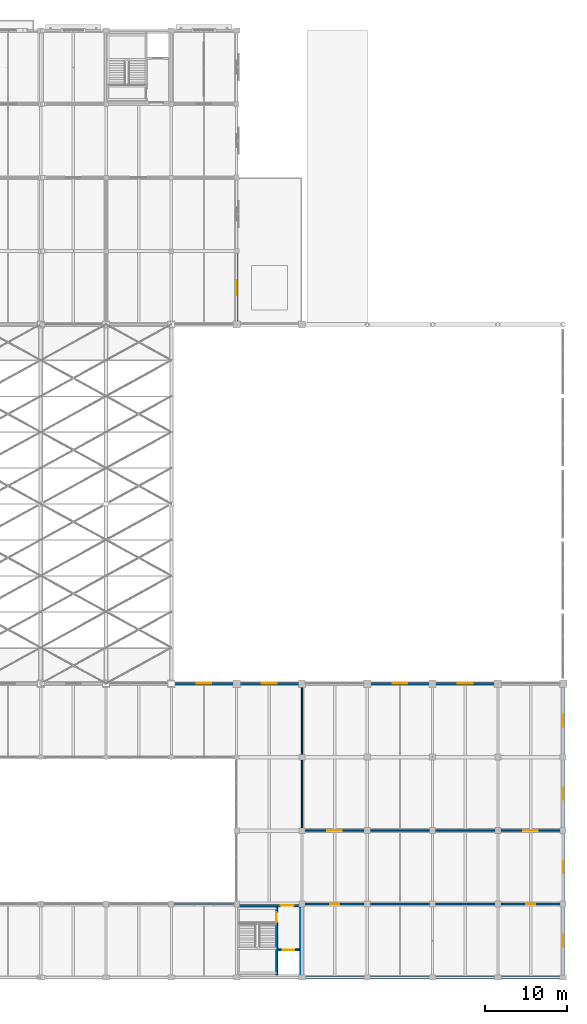
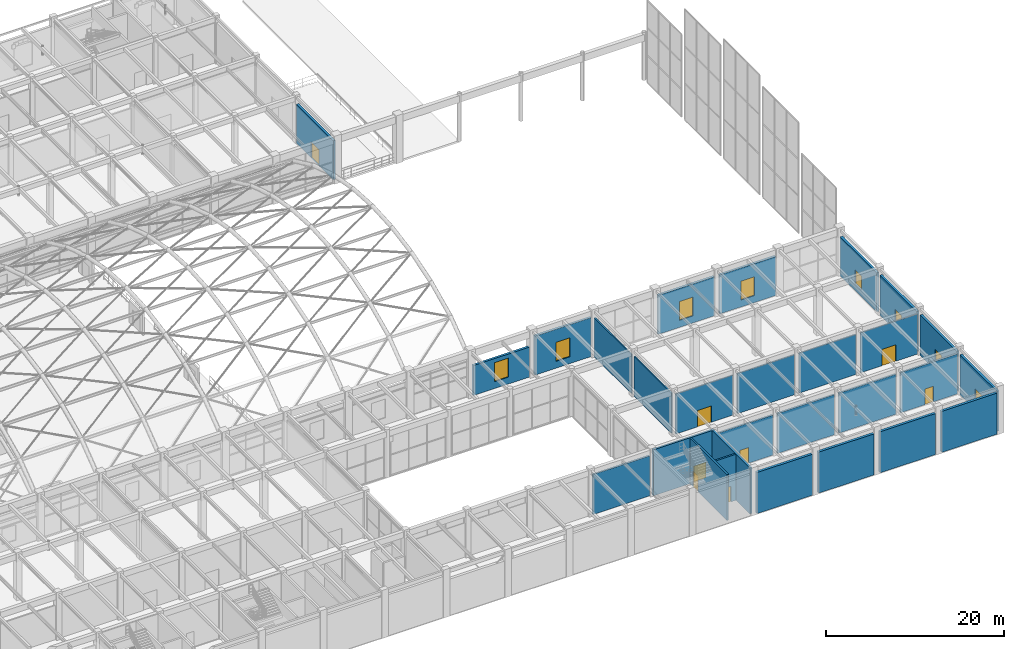
# One storey, part 134 of 163: 28 walls, 8 doors, 8 windows, 16 openings.
"""IFC4 building model written with IfcOpenShell, lengths in metres."""

from ifc_helpers import new_model, si_unit, direction, frame, frame_2d, origin, place, context, subcontext, project, spatial, rectangle, extrude, material, layer, layer_set, type_object, element, fill, save


model = new_model("IFC4")

# Units and contexts
model_context = context("Model", 3, precision=1e-05, world=origin(), true_north=direction((0.0, 1.0)))
body_context = subcontext(model_context, "Body", "Model", "MODEL_VIEW")
ifc_project = project(units=[si_unit("LENGTHUNIT", "METRE"), si_unit("AREAUNIT", "SQUARE_METRE"), si_unit("VOLUMEUNIT", "CUBIC_METRE"), si_unit("PLANEANGLEUNIT", "RADIAN"), si_unit("MASSUNIT", "GRAM", prefix="KILO")], contexts=[model_context])

# Site, building, storey
site_placement = place(None, origin())
site = spatial("IfcSite", under=ifc_project, at=site_placement, CompositionType="ELEMENT")
building_placement = place(site_placement, origin())
building = spatial("IfcBuilding", under=site, at=building_placement, Name="Varnabhumi Central Station", CompositionType="ELEMENT")
storey_placement = place(building_placement, frame((0.0, 0.0, 9.60009765625)))
storey = spatial("IfcBuildingStorey", under=building, at=storey_placement, Name="L02", CompositionType="ELEMENT", Elevation=9.60009765625)

# Wall
ifc_material_1 = material(Name="Autoclaved aerated blockwork masonry", Category="masonry")
ifc_layer_1 = layer(ifc_material_1, 0.219970703125, Name="Autoclaved aerated blockwork masonry", Category="masonry")
ifc_layer_set_1 = layer_set([ifc_layer_1], Name="Autoclaved aerated blockwork masonry")
wall_type_1 = type_object("IfcWallType", Name="WAL-COMP-AAC-220", PredefinedType="SOLIDWALL", material=ifc_layer_set_1)
wall_1_placement = place(storey_placement, frame((136.300048828125, 9.0, 0.0), z_axis=(0.0, 0.0, 1.0), x_axis=(1.0, 0.0, 0.0)))
element("IfcWall", 1, at=wall_1_placement, inside=storey, type_object=wall_type_1, Name="Concourse AHU Plant Room Corridor Partition 4", PredefinedType="SOLIDWALL", context=body_context, shape_type="SweptSolid", body=[
    extrude(rectangle(XDim=7.39990234375, YDim=0.219970703125, at=frame_2d((3.699951171875, 0.0))), origin(), (0.0, 0.0, 1.0), 5.5),
])

# Wall, opening, door
wall_2_placement = place(storey_placement, frame((152.300048828125, 9.0, 0.0), z_axis=(0.0, 0.0, 1.0), x_axis=(1.0, 0.0, 0.0)))
wall_2 = element("IfcWall", 2, at=wall_2_placement, inside=storey, type_object=wall_type_1, Name="Concourse Equipment Store Corridor Partition 1", PredefinedType="SOLIDWALL", context=body_context, shape_type="SweptSolid", body=[
    extrude(rectangle(XDim=7.39990234375, YDim=0.219970703125, at=frame_2d((3.699951171875, 0.0))), origin(), (0.0, 0.0, 1.0), 5.5),
])
opening_1_placement = place(wall_2_placement, frame((3.14990234375, 0.0, 0.0)))
opening_1 = element("IfcOpeningElement", 3, at=opening_1_placement, cuts=wall_2, Name="Opening FD-60", PredefinedType="OPENING", context=body_context, shape_type="SweptSolid", body=[
    extrude(rectangle(XDim=1.10009765625, YDim=2.14990234375, at=frame_2d((0.550048828125, 1.074951171875))), frame((0.0, 0.119873046875, 0.0), z_axis=(0.0, -1.0, 0.0), x_axis=(1.0, 0.0, 0.0)), (0.0, 0.0, 1.0), 0.239990234375),
])
ifc_material_2 = material(Name="Intumescent-treated hardwood timber", Category="wood")
door_type_1 = type_object("IfcDoorType", Name="DR-FIRE-60-1100", OperationType="NOTDEFINED", PredefinedType="DOOR", material=ifc_material_2)
door_1_placement = place(opening_1_placement, origin())
door_1 = element("IfcDoor", 4, at=door_1_placement, inside=storey, type_object=door_type_1, Name="Concourse Equipment Store Door 1", OperationType="SINGLE_SWING_RIGHT", OverallHeight=2.14990234375, OverallWidth=1.10009765625, PredefinedType="DOOR", context=body_context, shape_type="SweptSolid", body=[
    extrude(rectangle(XDim=1.10009765625, YDim=2.14990234375, at=frame_2d((0.550048828125, 1.074951171875))), frame((0.0, 0.02490234375, 0.0), z_axis=(0.0, -1.0, 0.0), x_axis=(1.0, 0.0, 0.0)), (0.0, 0.0, 1.0), 0.050048828125),
])
fill(opening_1, door_1)

# Walls
for number, where, z_axis, x_axis, name in (
    (5, (160.300048828125, 9.0, 0.0), (0.0, 0.0, 1.0), (1.0, 0.0, 0.0), "Concourse Equipment Store Corridor Partition 2"),
    (6, (168.300048828125, 9.0, 0.0), (0.0, 0.0, 1.0), (1.0, 0.0, 0.0), "Concourse Equipment Store Corridor Partition 3"),
):
    element("IfcWall", number, at=place(storey_placement, frame(where, z_axis=z_axis, x_axis=x_axis)), inside=storey, type_object=wall_type_1, Name=name, PredefinedType="SOLIDWALL", context=body_context, shape_type="SweptSolid", body=[
        extrude(rectangle(XDim=7.39990234375, YDim=0.219970703125, at=frame_2d((3.699951171875, 0.0))), origin(), (0.0, 0.0, 1.0), 5.5),
    ])

# Wall, opening, door
wall_3_placement = place(storey_placement, frame((176.300048828125, 9.0, 0.0), z_axis=(0.0, 0.0, 1.0), x_axis=(1.0, 0.0, 0.0)))
wall_3 = element("IfcWall", 7, at=wall_3_placement, inside=storey, type_object=wall_type_1, Name="Concourse Equipment Store Corridor Partition 4", PredefinedType="SOLIDWALL", context=body_context, shape_type="SweptSolid", body=[
    extrude(rectangle(XDim=7.39990234375, YDim=0.219970703125, at=frame_2d((3.699951171875, 0.0))), origin(), (0.0, 0.0, 1.0), 5.5),
])
opening_2_placement = place(wall_3_placement, frame((3.14990234375, 0.0, 0.0)))
opening_2 = element("IfcOpeningElement", 8, at=opening_2_placement, cuts=wall_3, Name="Opening FD-60", PredefinedType="OPENING", context=body_context, shape_type="SweptSolid", body=[
    extrude(rectangle(XDim=1.10009765625, YDim=2.14990234375, at=frame_2d((0.550048828125, 1.074951171875))), frame((0.0, 0.119873046875, 0.0), z_axis=(0.0, -1.0, 0.0), x_axis=(1.0, 0.0, 0.0)), (0.0, 0.0, 1.0), 0.239990234375),
])
door_2_placement = place(opening_2_placement, origin())
door_2 = element("IfcDoor", 9, at=door_2_placement, inside=storey, type_object=door_type_1, Name="Concourse Equipment Store Door 4", OperationType="SINGLE_SWING_LEFT", OverallHeight=2.14990234375, OverallWidth=1.10009765625, PredefinedType="DOOR", context=body_context, shape_type="SweptSolid", body=[
    extrude(rectangle(XDim=1.10009765625, YDim=2.14990234375, at=frame_2d((0.550048828125, 1.074951171875))), frame((0.0, 0.02490234375, 0.0), z_axis=(0.0, -1.0, 0.0), x_axis=(1.0, 0.0, 0.0)), (0.0, 0.0, 1.0), 0.050048828125),
])
fill(opening_2, door_2)

# Wall
ifc_material_3 = material(Name="Concrete M40", Category="concrete")
ifc_layer_2 = layer(ifc_material_3, 0.300048828125, Name="Concrete M40", Category="concrete")
ifc_layer_set_2 = layer_set([ifc_layer_2], Name="Concrete M40")
wall_type_2 = type_object("IfcWallType", Name="WAL-CORE-RC-300", PredefinedType="SHEAR", material=ifc_layer_set_2)
wall_4_placement = place(storey_placement, frame((151.820068359375, 0.179931640625, 0.0), z_axis=(0.0, 0.0, 1.0), x_axis=(0.0, 1.0, 0.0)))
element("IfcWall", 10, at=wall_4_placement, inside=storey, type_object=wall_type_2, Name="SC3 L02 East Shear Wall", PredefinedType="SHEAR", context=body_context, shape_type="SweptSolid", body=[
    extrude(rectangle(XDim=8.64013671875, YDim=0.300048828125, at=frame_2d((4.320068359375, 0.0))), origin(), (0.0, 0.0, 1.0), 6.31982421875),
])

# Wall, opening, door
wall_5_placement = place(storey_placement, frame((144.030029296875, 8.820068359375, 0.0), z_axis=(0.0, 0.0, 1.0), x_axis=(1.0, 0.0, 0.0)))
wall_5 = element("IfcWall", 11, at=wall_5_placement, inside=storey, type_object=wall_type_2, Name="SC3 L02 Corridor Shear Wall", PredefinedType="SHEAR", context=body_context, shape_type="SweptSolid", body=[
    extrude(rectangle(XDim=7.93994140625, YDim=0.300048828125, at=frame_2d((3.969970703125, 0.0))), origin(), (0.0, 0.0, 1.0), 6.31982421875),
])
opening_3_placement = place(wall_5_placement, frame((5.35009765625, 0.0, 0.0)))
opening_3 = element("IfcOpeningElement", 12, at=opening_3_placement, cuts=wall_5, Name="Opening FD-60D", PredefinedType="OPENING", context=body_context, shape_type="SweptSolid", body=[
    extrude(rectangle(XDim=1.60009765625, YDim=2.14990234375, at=frame_2d((0.800048828125, 1.074951171875))), frame((0.0, 0.159912109375, 0.0), z_axis=(0.0, -1.0, 0.0), x_axis=(1.0, 0.0, 0.0)), (0.0, 0.0, 1.0), 0.320068359375),
])
door_type_2 = type_object("IfcDoorType", Name="DR-FIRE-60-1600", OperationType="NOTDEFINED", PredefinedType="DOOR", material=ifc_material_2)
door_3_placement = place(opening_3_placement, origin())
door_3 = element("IfcDoor", 13, at=door_3_placement, inside=storey, type_object=door_type_2, Name="SC3 L02 Lobby Fire Door", OperationType="DOUBLE_DOOR_SINGLE_SWING", OverallHeight=2.14990234375, OverallWidth=1.60009765625, PredefinedType="DOOR", context=body_context, shape_type="SweptSolid", body=[
    extrude(rectangle(XDim=1.60009765625, YDim=2.14990234375, at=frame_2d((0.800048828125, 1.074951171875))), frame((0.0, 0.02490234375, 0.0), z_axis=(0.0, -1.0, 0.0), x_axis=(1.0, 0.0, 0.0)), (0.0, 0.0, 1.0), 0.050048828125),
])
fill(opening_3, door_3)

ifc_layer_3 = layer(ifc_material_1, 0.300048828125, Name="Autoclaved aerated blockwork masonry", Category="masonry")
ifc_layer_set_3 = layer_set([ifc_layer_3], Name="Autoclaved aerated blockwork masonry")
wall_type_3 = type_object("IfcWallType", Name="WAL-EXT-STUCCO-300", PredefinedType="SOLIDWALL", material=ifc_layer_set_3)
wall_6_placement = place(storey_placement, frame((144.0, 80.39990234375, 0.0), z_axis=(0.0, 0.0, 1.0), x_axis=(0.0, 1.0, 0.0)))
wall_6 = element("IfcWall", 14, at=wall_6_placement, inside=storey, type_object=wall_type_3, Name="North Wing W End Wall L02-1", PredefinedType="SOLIDWALL", context=body_context, shape_type="SweptSolid", body=[
    extrude(rectangle(XDim=8.30517578125, YDim=0.300048828125, at=frame_2d((4.152587890625, 0.0))), origin(), (0.0, 0.0, 1.0), 5.35986328125),
])
opening_4_placement = place(wall_6_placement, frame((3.199951171875, 0.0, 0.0)))
opening_4 = element("IfcOpeningElement", 15, at=opening_4_placement, cuts=wall_6, Name="Opening ED-4", PredefinedType="OPENING", context=body_context, shape_type="SweptSolid", body=[
    extrude(rectangle(XDim=1.800048828125, YDim=2.199951171875, at=frame_2d((0.89990234375, 1.10009765625))), frame((0.0, 0.159912109375, 0.0), z_axis=(0.0, -1.0, 0.0), x_axis=(1.0, 0.0, 0.0)), (0.0, 0.0, 1.0), 0.320068359375),
])
ifc_material_4 = material(Name="Anodised aluminium 6063-T6", Category="aluminium")
door_type_3 = type_object("IfcDoorType", Name="DR-EXT-AZOTEA-1800", OperationType="NOTDEFINED", PredefinedType="DOOR", material=ifc_material_4)
door_4_placement = place(opening_4_placement, origin())
door_4 = element("IfcDoor", 16, at=door_4_placement, inside=storey, type_object=door_type_3, Name="North Azotea Garden Door L02-W", OperationType="DOUBLE_DOOR_SINGLE_SWING", OverallHeight=2.199951171875, OverallWidth=1.800048828125, PredefinedType="DOOR", context=body_context, shape_type="SweptSolid", body=[
    extrude(rectangle(XDim=1.800048828125, YDim=2.199951171875, at=frame_2d((0.89990234375, 1.10009765625))), frame((0.0, 0.02490234375, 0.0), z_axis=(0.0, -1.0, 0.0), x_axis=(1.0, 0.0, 0.0)), (0.0, 0.0, 1.0), 0.050048828125),
])
fill(opening_4, door_4)

# Wall, opening, window
wall_7_placement = place(storey_placement, frame((136.344970703125, 36.0, 0.0), z_axis=(0.0, 0.0, 1.0), x_axis=(1.0, 0.0, 0.0)))
wall_7 = element("IfcWall", 17, at=wall_7_placement, inside=storey, type_object=wall_type_3, Name="South Spine Wall L02-14", PredefinedType="SOLIDWALL", context=body_context, shape_type="SweptSolid", body=[
    extrude(rectangle(XDim=7.31005859375, YDim=0.300048828125, at=frame_2d((3.655029296875, 0.0))), origin(), (0.0, 0.0, 1.0), 4.119873046875),
])
opening_5_placement = place(wall_7_placement, frame((2.7548828125, 0.0, 0.949951171875)))
opening_5 = element("IfcOpeningElement", 18, at=opening_5_placement, cuts=wall_7, Name="Opening W-02", PredefinedType="OPENING", context=body_context, shape_type="SweptSolid", body=[
    extrude(rectangle(XDim=1.800048828125, YDim=2.60009765625, at=frame_2d((0.89990234375, 1.300048828125))), frame((0.0, 0.159912109375, 0.0), z_axis=(0.0, -1.0, 0.0), x_axis=(1.0, 0.0, 0.0)), (0.0, 0.0, 1.0), 0.320068359375),
])
ifc_material_5 = material(Name="Laminated low-E double glazing", Category="glass")
window_type_1 = type_object("IfcWindowType", Name="WIN-ARCADE-1800x2600", PartitioningType="DOUBLE_PANEL_VERTICAL", PredefinedType="WINDOW", material=ifc_material_5)
window_1_placement = place(opening_5_placement, origin())
window_1 = element("IfcWindow", 19, at=window_1_placement, inside=storey, type_object=window_type_1, Name="South Spine Overlook Window L02-14", OverallHeight=2.60009765625, OverallWidth=1.800048828125, PartitioningType="SINGLE_PANEL", PredefinedType="WINDOW", context=body_context, shape_type="SweptSolid", body=[
    extrude(rectangle(XDim=1.800048828125, YDim=2.60009765625, at=frame_2d((0.89990234375, 1.300048828125))), frame((0.0, 0.030029296875, 0.0), z_axis=(0.0, -1.0, 0.0), x_axis=(1.0, 0.0, 0.0)), (0.0, 0.0, 1.0), 0.06005859375),
])
fill(opening_5, window_1)

wall_8_placement = place(storey_placement, frame((144.344970703125, 36.0, 0.0), z_axis=(0.0, 0.0, 1.0), x_axis=(1.0, 0.0, 0.0)))
wall_8 = element("IfcWall", 20, at=wall_8_placement, inside=storey, type_object=wall_type_3, Name="South Spine Wall L02-15", PredefinedType="SOLIDWALL", context=body_context, shape_type="SweptSolid", body=[
    extrude(rectangle(XDim=7.31005859375, YDim=0.300048828125, at=frame_2d((3.655029296875, 0.0))), origin(), (0.0, 0.0, 1.0), 5.35986328125),
])
opening_6_placement = place(wall_8_placement, frame((2.7548828125, 0.0, 0.949951171875)))
opening_6 = element("IfcOpeningElement", 21, at=opening_6_placement, cuts=wall_8, Name="Opening W-02", PredefinedType="OPENING", context=body_context, shape_type="SweptSolid", body=[
    extrude(rectangle(XDim=1.800048828125, YDim=2.60009765625, at=frame_2d((0.89990234375, 1.300048828125))), frame((0.0, 0.159912109375, 0.0), z_axis=(0.0, -1.0, 0.0), x_axis=(1.0, 0.0, 0.0)), (0.0, 0.0, 1.0), 0.320068359375),
])
window_2_placement = place(opening_6_placement, origin())
window_2 = element("IfcWindow", 22, at=window_2_placement, inside=storey, type_object=window_type_1, Name="South Spine Overlook Window L02-15", OverallHeight=2.60009765625, OverallWidth=1.800048828125, PartitioningType="SINGLE_PANEL", PredefinedType="WINDOW", context=body_context, shape_type="SweptSolid", body=[
    extrude(rectangle(XDim=1.800048828125, YDim=2.60009765625, at=frame_2d((0.89990234375, 1.300048828125))), frame((0.0, 0.030029296875, 0.0), z_axis=(0.0, -1.0, 0.0), x_axis=(1.0, 0.0, 0.0)), (0.0, 0.0, 1.0), 0.06005859375),
])
fill(opening_6, window_2)

wall_9_placement = place(storey_placement, frame((160.344970703125, 36.0, 0.0), z_axis=(0.0, 0.0, 1.0), x_axis=(1.0, 0.0, 0.0)))
wall_9 = element("IfcWall", 23, at=wall_9_placement, inside=storey, type_object=wall_type_3, Name="South Spine Wall L02-17", PredefinedType="SOLIDWALL", context=body_context, shape_type="SweptSolid", body=[
    extrude(rectangle(XDim=7.31005859375, YDim=0.300048828125, at=frame_2d((3.655029296875, 0.0))), origin(), (0.0, 0.0, 1.0), 5.35986328125),
])
opening_7_placement = place(wall_9_placement, frame((2.7548828125, 0.0, 0.949951171875)))
opening_7 = element("IfcOpeningElement", 24, at=opening_7_placement, cuts=wall_9, Name="Opening W-02", PredefinedType="OPENING", context=body_context, shape_type="SweptSolid", body=[
    extrude(rectangle(XDim=1.800048828125, YDim=2.60009765625, at=frame_2d((0.89990234375, 1.300048828125))), frame((0.0, 0.159912109375, 0.0), z_axis=(0.0, -1.0, 0.0), x_axis=(1.0, 0.0, 0.0)), (0.0, 0.0, 1.0), 0.320068359375),
])
window_3_placement = place(opening_7_placement, origin())
window_3 = element("IfcWindow", 25, at=window_3_placement, inside=storey, type_object=window_type_1, Name="South Spine Overlook Window L02-17", OverallHeight=2.60009765625, OverallWidth=1.800048828125, PartitioningType="SINGLE_PANEL", PredefinedType="WINDOW", context=body_context, shape_type="SweptSolid", body=[
    extrude(rectangle(XDim=1.800048828125, YDim=2.60009765625, at=frame_2d((0.89990234375, 1.300048828125))), frame((0.0, 0.030029296875, 0.0), z_axis=(0.0, -1.0, 0.0), x_axis=(1.0, 0.0, 0.0)), (0.0, 0.0, 1.0), 0.06005859375),
])
fill(opening_7, window_3)

wall_10_placement = place(storey_placement, frame((168.344970703125, 36.0, 0.0), z_axis=(0.0, 0.0, 1.0), x_axis=(1.0, 0.0, 0.0)))
wall_10 = element("IfcWall", 26, at=wall_10_placement, inside=storey, type_object=wall_type_3, Name="South Spine Wall L02-18", PredefinedType="SOLIDWALL", context=body_context, shape_type="SweptSolid", body=[
    extrude(rectangle(XDim=7.31005859375, YDim=0.300048828125, at=frame_2d((3.655029296875, 0.0))), origin(), (0.0, 0.0, 1.0), 5.35986328125),
])
opening_8_placement = place(wall_10_placement, frame((2.7548828125, 0.0, 0.949951171875)))
opening_8 = element("IfcOpeningElement", 27, at=opening_8_placement, cuts=wall_10, Name="Opening W-02", PredefinedType="OPENING", context=body_context, shape_type="SweptSolid", body=[
    extrude(rectangle(XDim=1.800048828125, YDim=2.60009765625, at=frame_2d((0.89990234375, 1.300048828125))), frame((0.0, 0.159912109375, 0.0), z_axis=(0.0, -1.0, 0.0), x_axis=(1.0, 0.0, 0.0)), (0.0, 0.0, 1.0), 0.320068359375),
])
window_4_placement = place(opening_8_placement, origin())
window_4 = element("IfcWindow", 28, at=window_4_placement, inside=storey, type_object=window_type_1, Name="South Spine Overlook Window L02-18", OverallHeight=2.60009765625, OverallWidth=1.800048828125, PartitioningType="SINGLE_PANEL", PredefinedType="WINDOW", context=body_context, shape_type="SweptSolid", body=[
    extrude(rectangle(XDim=1.800048828125, YDim=2.60009765625, at=frame_2d((0.89990234375, 1.300048828125))), frame((0.0, 0.030029296875, 0.0), z_axis=(0.0, -1.0, 0.0), x_axis=(1.0, 0.0, 0.0)), (0.0, 0.0, 1.0), 0.06005859375),
])
fill(opening_8, window_4)

wall_11_placement = place(storey_placement, frame((184.0, 0.294921875, 0.0), z_axis=(0.0, 0.0, 1.0), x_axis=(0.0, 1.0, 0.0)))
wall_11 = element("IfcWall", 29, at=wall_11_placement, inside=storey, type_object=wall_type_3, Name="South Wing W End Wall L02-1", PredefinedType="SOLIDWALL", context=body_context, shape_type="SweptSolid", body=[
    extrude(rectangle(XDim=8.3349609375, YDim=0.300048828125, at=frame_2d((4.16748046875, 0.0))), origin(), (0.0, 0.0, 1.0), 5.510009765625),
])
opening_9_placement = place(wall_11_placement, frame((3.455078125, 0.0, 0.949951171875)))
opening_9 = element("IfcOpeningElement", 30, at=opening_9_placement, cuts=wall_11, Name="Opening W-07", PredefinedType="OPENING", context=body_context, shape_type="SweptSolid", body=[
    extrude(rectangle(XDim=1.5, YDim=1.89990234375, at=frame_2d((0.75, 0.949951171875))), frame((0.0, 0.159912109375, 0.0), z_axis=(0.0, -1.0, 0.0), x_axis=(1.0, 0.0, 0.0)), (0.0, 0.0, 1.0), 0.320068359375),
])
window_type_2 = type_object("IfcWindowType", Name="WIN-OPS-1500x1900", PartitioningType="SINGLE_PANEL", PredefinedType="WINDOW", material=ifc_material_5)
window_5_placement = place(opening_9_placement, origin())
window_5 = element("IfcWindow", 31, at=window_5_placement, inside=storey, type_object=window_type_2, Name="South W Window L02-1", OverallHeight=1.89990234375, OverallWidth=1.5, PartitioningType="SINGLE_PANEL", PredefinedType="WINDOW", context=body_context, shape_type="SweptSolid", body=[
    extrude(rectangle(XDim=1.5, YDim=1.89990234375, at=frame_2d((0.75, 0.949951171875))), frame((0.0, 0.030029296875, 0.0), z_axis=(0.0, -1.0, 0.0), x_axis=(1.0, 0.0, 0.0)), (0.0, 0.0, 1.0), 0.06005859375),
])
fill(opening_9, window_5)

wall_12_placement = place(storey_placement, frame((184.0, 9.3701171875, 0.0), z_axis=(0.0, 0.0, 1.0), x_axis=(0.0, 1.0, 0.0)))
wall_12 = element("IfcWall", 32, at=wall_12_placement, inside=storey, type_object=wall_type_3, Name="South Wing W End Wall L02-2", PredefinedType="SOLIDWALL", context=body_context, shape_type="SweptSolid", body=[
    extrude(rectangle(XDim=8.259765625, YDim=0.300048828125, at=frame_2d((4.1298828125, 0.0))), origin(), (0.0, 0.0, 1.0), 5.510009765625),
])
opening_10_placement = place(wall_12_placement, frame((3.3798828125, 0.0, 0.949951171875)))
opening_10 = element("IfcOpeningElement", 33, at=opening_10_placement, cuts=wall_12, Name="Opening W-07", PredefinedType="OPENING", context=body_context, shape_type="SweptSolid", body=[
    extrude(rectangle(XDim=1.5, YDim=1.89990234375, at=frame_2d((0.75, 0.949951171875))), frame((0.0, 0.159912109375, 0.0), z_axis=(0.0, -1.0, 0.0), x_axis=(1.0, 0.0, 0.0)), (0.0, 0.0, 1.0), 0.320068359375),
])
window_6_placement = place(opening_10_placement, origin())
window_6 = element("IfcWindow", 34, at=window_6_placement, inside=storey, type_object=window_type_2, Name="South W Window L02-2", OverallHeight=1.89990234375, OverallWidth=1.5, PartitioningType="SINGLE_PANEL", PredefinedType="WINDOW", context=body_context, shape_type="SweptSolid", body=[
    extrude(rectangle(XDim=1.5, YDim=1.89990234375, at=frame_2d((0.75, 0.949951171875))), frame((0.0, 0.030029296875, 0.0), z_axis=(0.0, -1.0, 0.0), x_axis=(1.0, 0.0, 0.0)), (0.0, 0.0, 1.0), 0.06005859375),
])
fill(opening_10, window_6)

wall_13_placement = place(storey_placement, frame((184.0, 18.3701171875, 0.0), z_axis=(0.0, 0.0, 1.0), x_axis=(0.0, 1.0, 0.0)))
wall_13 = element("IfcWall", 35, at=wall_13_placement, inside=storey, type_object=wall_type_3, Name="South Wing W End Wall L02-3", PredefinedType="SOLIDWALL", context=body_context, shape_type="SweptSolid", body=[
    extrude(rectangle(XDim=8.259765625, YDim=0.300048828125, at=frame_2d((4.1298828125, 0.0))), origin(), (0.0, 0.0, 1.0), 5.510009765625),
])
opening_11_placement = place(wall_13_placement, frame((3.3798828125, 0.0, 0.949951171875)))
opening_11 = element("IfcOpeningElement", 36, at=opening_11_placement, cuts=wall_13, Name="Opening W-07", PredefinedType="OPENING", context=body_context, shape_type="SweptSolid", body=[
    extrude(rectangle(XDim=1.5, YDim=1.89990234375, at=frame_2d((0.75, 0.949951171875))), frame((0.0, 0.159912109375, 0.0), z_axis=(0.0, -1.0, 0.0), x_axis=(1.0, 0.0, 0.0)), (0.0, 0.0, 1.0), 0.320068359375),
])
window_7_placement = place(opening_11_placement, origin())
window_7 = element("IfcWindow", 37, at=window_7_placement, inside=storey, type_object=window_type_2, Name="South W Window L02-3", OverallHeight=1.89990234375, OverallWidth=1.5, PartitioningType="SINGLE_PANEL", PredefinedType="WINDOW", context=body_context, shape_type="SweptSolid", body=[
    extrude(rectangle(XDim=1.5, YDim=1.89990234375, at=frame_2d((0.75, 0.949951171875))), frame((0.0, 0.030029296875, 0.0), z_axis=(0.0, -1.0, 0.0), x_axis=(1.0, 0.0, 0.0)), (0.0, 0.0, 1.0), 0.06005859375),
])
fill(opening_11, window_7)

wall_14_placement = place(storey_placement, frame((184.0, 27.3701171875, 0.0), z_axis=(0.0, 0.0, 1.0), x_axis=(0.0, 1.0, 0.0)))
wall_14 = element("IfcWall", 38, at=wall_14_placement, inside=storey, type_object=wall_type_3, Name="South Wing W End Wall L02-4", PredefinedType="SOLIDWALL", context=body_context, shape_type="SweptSolid", body=[
    extrude(rectangle(XDim=8.22998046875, YDim=0.300048828125, at=frame_2d((4.114990234375, 0.0))), origin(), (0.0, 0.0, 1.0), 5.35986328125),
])
opening_12_placement = place(wall_14_placement, frame((3.3798828125, 0.0, 0.949951171875)))
opening_12 = element("IfcOpeningElement", 39, at=opening_12_placement, cuts=wall_14, Name="Opening W-07", PredefinedType="OPENING", context=body_context, shape_type="SweptSolid", body=[
    extrude(rectangle(XDim=1.5, YDim=1.89990234375, at=frame_2d((0.75, 0.949951171875))), frame((0.0, 0.159912109375, 0.0), z_axis=(0.0, -1.0, 0.0), x_axis=(1.0, 0.0, 0.0)), (0.0, 0.0, 1.0), 0.320068359375),
])
window_8_placement = place(opening_12_placement, origin())
window_8 = element("IfcWindow", 40, at=window_8_placement, inside=storey, type_object=window_type_2, Name="South W Window L02-4", OverallHeight=1.89990234375, OverallWidth=1.5, PartitioningType="SINGLE_PANEL", PredefinedType="WINDOW", context=body_context, shape_type="SweptSolid", body=[
    extrude(rectangle(XDim=1.5, YDim=1.89990234375, at=frame_2d((0.75, 0.949951171875))), frame((0.0, 0.030029296875, 0.0), z_axis=(0.0, -1.0, 0.0), x_axis=(1.0, 0.0, 0.0)), (0.0, 0.0, 1.0), 0.06005859375),
])
fill(opening_12, window_8)

# Wall, opening, door
ifc_layer_4 = layer(ifc_material_1, 0.159912109375, Name="Autoclaved aerated blockwork masonry", Category="masonry")
ifc_layer_set_4 = layer_set([ifc_layer_4], Name="Autoclaved aerated blockwork masonry")
wall_type_4 = type_object("IfcWallType", Name="WAL-PART-AAC-160", PredefinedType="PARTITIONING", material=ifc_layer_set_4)
wall_15_placement = place(storey_placement, frame((152.300048828125, 18.0, 0.0), z_axis=(0.0, 0.0, 1.0), x_axis=(1.0, 0.0, 0.0)))
wall_15 = element("IfcWall", 41, at=wall_15_placement, inside=storey, type_object=wall_type_4, Name="Platform Overlook Refreshment Lounge Corridor Partition 1", PredefinedType="PARTITIONING", context=body_context, shape_type="SweptSolid", body=[
    extrude(rectangle(XDim=7.39990234375, YDim=0.159912109375, at=frame_2d((3.699951171875, 0.0))), origin(), (0.0, 0.0, 1.0), 5.5),
])
opening_13_placement = place(wall_15_placement, frame((2.800048828125, 0.0, 0.0)))
opening_13 = element("IfcOpeningElement", 42, at=opening_13_placement, cuts=wall_15, Name="Opening D-02", PredefinedType="OPENING", context=body_context, shape_type="SweptSolid", body=[
    extrude(rectangle(XDim=1.800048828125, YDim=2.25, at=frame_2d((0.89990234375, 1.125))), frame((0.0, 0.08984375, 0.0), z_axis=(0.0, -1.0, 0.0), x_axis=(1.0, 0.0, 0.0)), (0.0, 0.0, 1.0), 0.179931640625),
])
door_type_4 = type_object("IfcDoorType", Name="DR-LOUNGE-1800", OperationType="NOTDEFINED", PredefinedType="DOOR", material=ifc_material_4)
door_5_placement = place(opening_13_placement, frame((1.800048828125, 0.0, 0.0), z_axis=(0.0, 0.0, 1.0), x_axis=(-1.0, 0.0, 0.0)))
door_5 = element("IfcDoor", 43, at=door_5_placement, inside=storey, type_object=door_type_4, Name="Platform Overlook Refreshment Lounge Door 1", OperationType="DOUBLE_DOOR_SINGLE_SWING", OverallHeight=2.25, OverallWidth=1.800048828125, PredefinedType="DOOR", context=body_context, shape_type="SweptSolid", body=[
    extrude(rectangle(XDim=1.800048828125, YDim=2.25, at=frame_2d((0.89990234375, 1.125))), frame((0.0, 0.02490234375, 0.0), z_axis=(0.0, -1.0, 0.0), x_axis=(1.0, 0.0, 0.0)), (0.0, 0.0, 1.0), 0.050048828125),
])
fill(opening_13, door_5)

# Walls
for number, where, z_axis, x_axis, name in (
    (44, (160.300048828125, 18.0, 0.0), (0.0, 0.0, 1.0), (1.0, 0.0, 0.0), "Platform Overlook Refreshment Lounge Corridor Partition 2"),
    (45, (168.300048828125, 18.0, 0.0), (0.0, 0.0, 1.0), (1.0, 0.0, 0.0), "Platform Overlook Refreshment Lounge Corridor Partition 3"),
):
    element("IfcWall", number, at=place(storey_placement, frame(where, z_axis=z_axis, x_axis=x_axis)), inside=storey, type_object=wall_type_4, Name=name, PredefinedType="PARTITIONING", context=body_context, shape_type="SweptSolid", body=[
        extrude(rectangle(XDim=7.39990234375, YDim=0.159912109375, at=frame_2d((3.699951171875, 0.0))), origin(), (0.0, 0.0, 1.0), 5.5),
    ])

# Wall, opening, door
wall_16_placement = place(storey_placement, frame((176.300048828125, 18.0, 0.0), z_axis=(0.0, 0.0, 1.0), x_axis=(1.0, 0.0, 0.0)))
wall_16 = element("IfcWall", 46, at=wall_16_placement, inside=storey, type_object=wall_type_4, Name="Platform Overlook Refreshment Lounge Corridor Partition 4", PredefinedType="PARTITIONING", context=body_context, shape_type="SweptSolid", body=[
    extrude(rectangle(XDim=7.39990234375, YDim=0.159912109375, at=frame_2d((3.699951171875, 0.0))), origin(), (0.0, 0.0, 1.0), 5.5),
])
opening_14_placement = place(wall_16_placement, frame((2.800048828125, 0.0, 0.0)))
opening_14 = element("IfcOpeningElement", 47, at=opening_14_placement, cuts=wall_16, Name="Opening D-02", PredefinedType="OPENING", context=body_context, shape_type="SweptSolid", body=[
    extrude(rectangle(XDim=1.800048828125, YDim=2.25, at=frame_2d((0.89990234375, 1.125))), frame((0.0, 0.08984375, 0.0), z_axis=(0.0, -1.0, 0.0), x_axis=(1.0, 0.0, 0.0)), (0.0, 0.0, 1.0), 0.179931640625),
])
door_6_placement = place(opening_14_placement, frame((1.800048828125, 0.0, 0.0), z_axis=(0.0, 0.0, 1.0), x_axis=(-1.0, 0.0, 0.0)))
door_6 = element("IfcDoor", 48, at=door_6_placement, inside=storey, type_object=door_type_4, Name="Platform Overlook Refreshment Lounge Door 4", OperationType="DOUBLE_DOOR_SINGLE_SWING", OverallHeight=2.25, OverallWidth=1.800048828125, PredefinedType="DOOR", context=body_context, shape_type="SweptSolid", body=[
    extrude(rectangle(XDim=1.800048828125, YDim=2.25, at=frame_2d((0.89990234375, 1.125))), frame((0.0, 0.02490234375, 0.0), z_axis=(0.0, -1.0, 0.0), x_axis=(1.0, 0.0, 0.0)), (0.0, 0.0, 1.0), 0.050048828125),
])
fill(opening_14, door_6)

# Walls
wall_17_placement = place(storey_placement, frame((152.0, 18.300048828125, 0.0), z_axis=(0.0, 0.0, 1.0), x_axis=(0.0, 1.0, 0.0)))
element("IfcWall", 49, at=wall_17_placement, inside=storey, type_object=wall_type_4, Name="Platform Overlook Refreshment Lounge E Partition 1", PredefinedType="PARTITIONING", context=body_context, shape_type="SweptSolid", body=[
    extrude(rectangle(XDim=8.39990234375, YDim=0.159912109375, at=frame_2d((4.199951171875, 0.0))), origin(), (0.0, 0.0, 1.0), 5.5),
])
wall_18_placement = place(storey_placement, frame((152.0, 27.300048828125, 0.0), z_axis=(0.0, 0.0, 1.0), x_axis=(0.0, 1.0, 0.0)))
element("IfcWall", 50, at=wall_18_placement, inside=storey, type_object=wall_type_4, Name="Platform Overlook Refreshment Lounge E Partition 2", PredefinedType="PARTITIONING", context=body_context, shape_type="SweptSolid", body=[
    extrude(rectangle(XDim=8.39990234375, YDim=0.159912109375, at=frame_2d((4.199951171875, 0.0))), origin(), (0.0, 0.0, 1.0), 5.35986328125),
])

# Wall, opening, door
ifc_layer_5 = layer(ifc_material_3, 0.239990234375, Name="Concrete M40", Category="concrete")
ifc_layer_set_5 = layer_set([ifc_layer_5], Name="Concrete M40")
wall_type_5 = type_object("IfcWallType", Name="WAL-SHAFT-RC-240", PredefinedType="SHEAR", material=ifc_layer_set_5)
wall_19_placement = place(storey_placement, frame((148.89990234375, 0.35009765625, 0.0), z_axis=(0.0, 0.0, 1.0), x_axis=(0.0, 1.0, 0.0)))
wall_19 = element("IfcWall", 51, at=wall_19_placement, inside=storey, type_object=wall_type_5, Name="SC3 L02 Stair-Lobby Divider Wall", PredefinedType="SHEAR", context=body_context, shape_type="SweptSolid", body=[
    extrude(rectangle(XDim=8.2998046875, YDim=0.239990234375, at=frame_2d((4.14990234375, 0.0))), origin(), (0.0, 0.0, 1.0), 6.31982421875),
])
opening_15_placement = place(wall_19_placement, frame((6.449951171875, 0.0, 0.0)))
opening_15 = element("IfcOpeningElement", 52, at=opening_15_placement, cuts=wall_19, Name="Opening FD-120", PredefinedType="OPENING", context=body_context, shape_type="SweptSolid", body=[
    extrude(rectangle(XDim=1.199951171875, YDim=2.14990234375, at=frame_2d((0.60009765625, 1.074951171875))), frame((0.0, 0.1298828125, 0.0), z_axis=(0.0, -1.0, 0.0), x_axis=(1.0, 0.0, 0.0)), (0.0, 0.0, 1.0), 0.260009765625),
])
ifc_material_6 = material(Name="Stainless steel Grade 316", Category="steel")
door_type_5 = type_object("IfcDoorType", Name="DR-FIRE-120-1200", OperationType="NOTDEFINED", PredefinedType="DOOR", material=ifc_material_6)
door_7_placement = place(opening_15_placement, frame((1.199951171875, 0.0, 0.0), z_axis=(0.0, 0.0, 1.0), x_axis=(-1.0, 0.0, 0.0)))
door_7 = element("IfcDoor", 53, at=door_7_placement, inside=storey, type_object=door_type_5, Name="ST-S3 L02 Fire Door", OperationType="SINGLE_SWING_LEFT", OverallHeight=2.14990234375, OverallWidth=1.199951171875, PredefinedType="DOOR", context=body_context, shape_type="SweptSolid", body=[
    extrude(rectangle(XDim=1.199951171875, YDim=2.14990234375, at=frame_2d((0.60009765625, 1.074951171875))), frame((0.0, 0.02490234375, 0.0), z_axis=(0.0, -1.0, 0.0), x_axis=(1.0, 0.0, 0.0)), (0.0, 0.0, 1.0), 0.050048828125),
])
fill(opening_15, door_7)

wall_20_placement = place(storey_placement, frame((149.02001953125, 3.39990234375, 0.0), z_axis=(0.0, 0.0, 1.0), x_axis=(1.0, 0.0, 0.0)))
wall_20 = element("IfcWall", 54, at=wall_20_placement, inside=storey, type_object=wall_type_5, Name="GL-1 L02 Lift Shaft Front Wall", PredefinedType="SHEAR", context=body_context, shape_type="SweptSolid", body=[
    extrude(rectangle(XDim=2.6298828125, YDim=0.239990234375, at=frame_2d((1.31494140625, 0.0))), origin(), (0.0, 0.0, 1.0), 6.31982421875),
])
opening_16_placement = place(wall_20_placement, frame((0.614990234375, 0.0, 0.0)))
opening_16 = element("IfcOpeningElement", 55, at=opening_16_placement, cuts=wall_20, Name="Opening LD-GL-1", PredefinedType="OPENING", context=body_context, shape_type="SweptSolid", body=[
    extrude(rectangle(XDim=1.39990234375, YDim=2.14990234375, at=frame_2d((0.699951171875, 1.074951171875))), frame((0.0, 0.1298828125, 0.0), z_axis=(0.0, -1.0, 0.0), x_axis=(1.0, 0.0, 0.0)), (0.0, 0.0, 1.0), 0.260009765625),
])
door_type_6 = type_object("IfcDoorType", Name="DR-LIFT-GOODS-1400", OperationType="NOTDEFINED", PredefinedType="DOOR", material=ifc_material_6)
door_8_placement = place(opening_16_placement, origin())
door_8 = element("IfcDoor", 56, at=door_8_placement, inside=storey, type_object=door_type_6, Name="Lift Landing Door GL-1 L02", OperationType="DOUBLE_DOOR_SLIDING", OverallHeight=2.14990234375, OverallWidth=1.39990234375, PredefinedType="DOOR", context=body_context, shape_type="SweptSolid", body=[
    extrude(rectangle(XDim=1.39990234375, YDim=2.14990234375, at=frame_2d((0.699951171875, 1.074951171875))), frame((0.0, 0.02490234375, 0.0), z_axis=(0.0, -1.0, 0.0), x_axis=(1.0, 0.0, 0.0)), (0.0, 0.0, 1.0), 0.050048828125),
])
fill(opening_16, door_8)

# Walls
ifc_layer_6 = layer(ifc_material_3, 0.340087890625, Name="Concrete M40", Category="concrete")
ifc_layer_set_6 = layer_set([ifc_layer_6], Name="Concrete M40")
wall_type_6 = type_object("IfcWallType", Name="WAL-SOUTH-FIRE-340", PredefinedType="SOLIDWALL", material=ifc_layer_set_6)
for number, where, z_axis, x_axis, name in (
    (57, (152.39990234375, 0.0, 0.0), (0.0, 0.0, 1.0), (1.0, 0.0, 0.0), "South Infill Boundary Fire Wall L02-16"),
    (58, (160.39990234375, 0.0, 0.0), (0.0, 0.0, 1.0), (1.0, 0.0, 0.0), "South Infill Boundary Fire Wall L02-17"),
    (59, (168.39990234375, 0.0, 0.0), (0.0, 0.0, 1.0), (1.0, 0.0, 0.0), "South Infill Boundary Fire Wall L02-18"),
    (60, (176.39990234375, 0.0, 0.0), (0.0, 0.0, 1.0), (1.0, 0.0, 0.0), "South Infill Boundary Fire Wall L02-19"),
):
    element("IfcWall", number, at=place(storey_placement, frame(where, z_axis=z_axis, x_axis=x_axis)), inside=storey, type_object=wall_type_6, Name=name, PredefinedType="SOLIDWALL", context=body_context, shape_type="SweptSolid", body=[
        extrude(rectangle(XDim=7.2001953125, YDim=0.340087890625, at=frame_2d((3.60009765625, 0.0))), origin(), (0.0, 0.0, 1.0), 5.639892578125),
    ])

save(model, "model.ifc")
